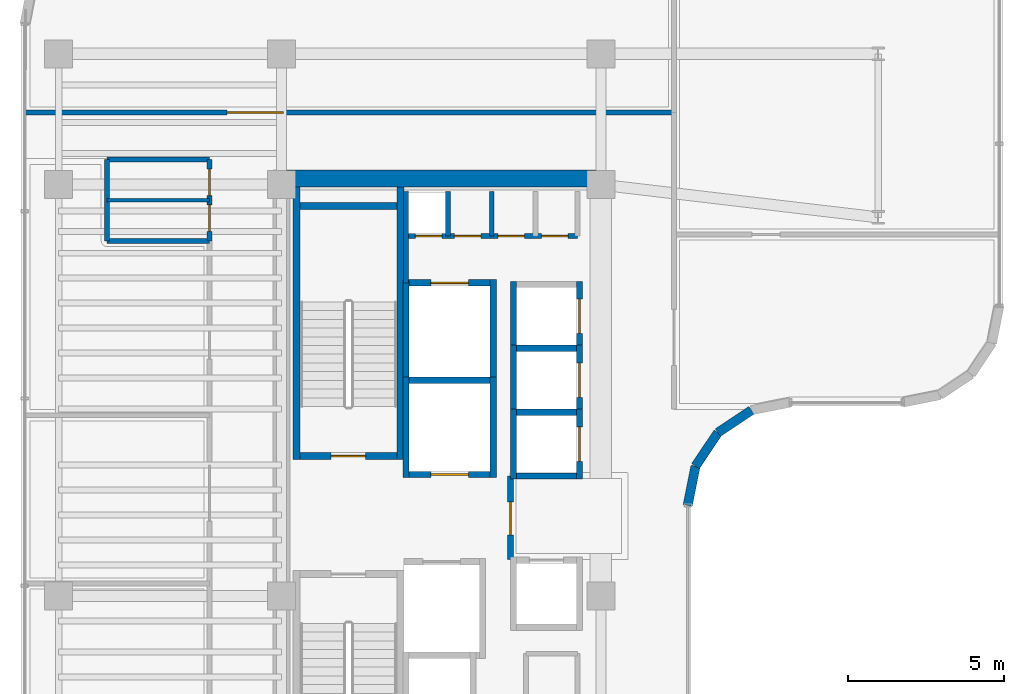
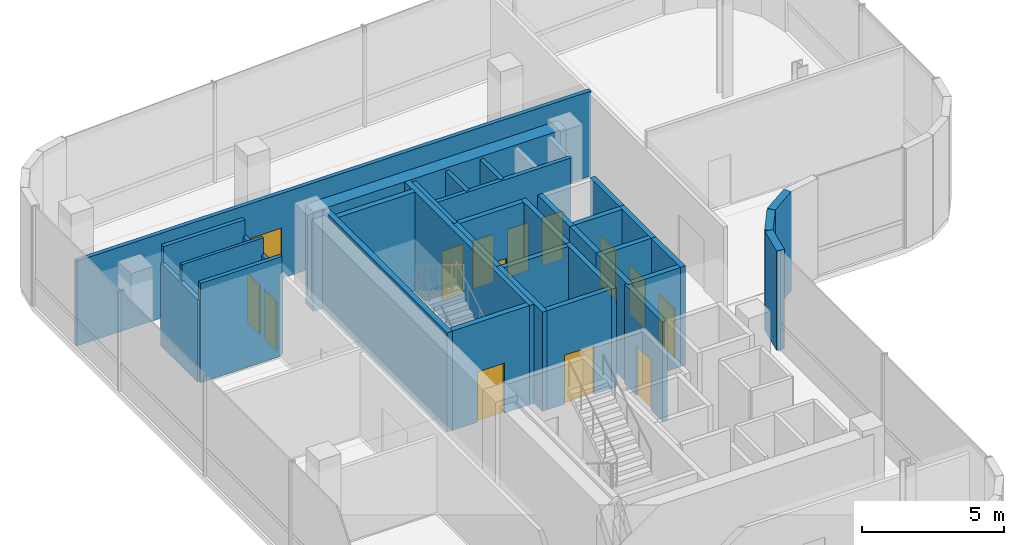
# One storey, part 14 of 17: 35 walls, 14 doors, 14 openings.
"""IFC4 building model written with IfcOpenShell, lengths in metres."""

import ifcopenshell
import ifcopenshell.guid

model = None  # the IFC model being written
_history = None  # IfcOwnerHistory: only IFC2X3 demands one
_inside = {}  # id of a spatial element -> (the spatial element, [elements in it])
_under = {}  # id of a project, library or spatial element -> (it, [spatial elements below it])
_declared = {}  # id of a project -> (the project, [libraries it declares])
_typed = {}  # id of a type object -> (the type object, [elements of that type])
_made_of = {}  # id of a material, layer set ... -> (it, [elements and type objects made of it])


def new_model(schema):
    """Start an empty IFC model of exactly this schema.

    Asked for "IFC4X3", IfcOpenShell would pick the latest addendum, in which some entities
    have other attributes; the version numbers below select the first issue.
    IFC2X3 requires an IfcOwnerHistory on every rooted entity: one is made here for all.
    """
    global model, _history
    if schema == "IFC4X3":
        model = ifcopenshell.file(schema_version=(4, 3, 0, 0))
    else:
        model = ifcopenshell.file(schema=schema)
    _inside.clear()
    _under.clear()
    _declared.clear()
    _typed.clear()
    _made_of.clear()
    _history = None
    if model.schema == "IFC2X3":
        org = make("IfcOrganization", Name="unknown")
        user = make(
            "IfcPersonAndOrganization",
            ThePerson=make("IfcPerson", FamilyName="unknown"),
            TheOrganization=org,
        )
        app = make(
            "IfcApplication",
            ApplicationDeveloper=org,
            Version="unknown",
            ApplicationFullName="unknown",
            ApplicationIdentifier="unknown",
        )
        _history = make(
            "IfcOwnerHistory",
            OwningUser=user,
            OwningApplication=app,
            ChangeAction="ADDED",
            CreationDate=0,
        )
    return model


def make(cls, **values):
    """One entity of the class cls with the attributes given. An attribute that is None is left unset."""
    return model.create_entity(
        cls, **{name: value for name, value in values.items() if value is not None}
    )


def rooted(cls, **values):
    """An entity with a GlobalId (a new one), such as an element, a storey or a relation."""
    return make(cls, GlobalId=ifcopenshell.guid.new(), OwnerHistory=_history, **values)


def si_unit(unit_type, name, prefix=None):
    """IfcSIUnit, for example si_unit("LENGTHUNIT", "METRE", prefix="MILLI")."""
    return make("IfcSIUnit", UnitType=unit_type, Prefix=prefix, Name=name)


def assignment(units):
    """IfcUnitAssignment: the units of a project."""
    return None if units is None else make("IfcUnitAssignment", Units=units)


def point(xyz):
    """IfcCartesianPoint."""
    return None if xyz is None else make("IfcCartesianPoint", Coordinates=xyz)


def direction(xyz):
    """IfcDirection."""
    return None if xyz is None else make("IfcDirection", DirectionRatios=xyz)


def frame(location, z_axis=None, x_axis=None):
    """IfcAxis2Placement3D, a coordinate frame: its origin and axes. An axis left out is left unset."""
    return make(
        "IfcAxis2Placement3D",
        Location=point(location),
        Axis=direction(z_axis),
        RefDirection=direction(x_axis),
    )


def frame_2d(location, x_axis=None):
    """IfcAxis2Placement2D, a coordinate frame in the plane: its origin and x axis."""
    return make(
        "IfcAxis2Placement2D", Location=point(location), RefDirection=direction(x_axis)
    )


def origin():
    """The frame at (0, 0, 0) with its axes left unset."""
    return frame((0.0, 0.0, 0.0))


def place(relative_to, where):
    """IfcLocalPlacement: puts the frame where relative to a parent placement (None: the world)."""
    return make(
        "IfcLocalPlacement", PlacementRelTo=relative_to, RelativePlacement=where
    )


def context(
    kind, dimensions, precision=None, world=None, true_north=None, identifier=None
):
    """IfcGeometricRepresentationContext, for example the 3D "Model" context."""
    return make(
        "IfcGeometricRepresentationContext",
        ContextIdentifier=identifier,
        ContextType=kind,
        CoordinateSpaceDimension=dimensions,
        Precision=precision,
        WorldCoordinateSystem=world,
        TrueNorth=true_north,
    )


def subcontext(parent, identifier, kind, view, scale=None):
    """IfcGeometricRepresentationSubContext, for example "Body" below "Model"."""
    return make(
        "IfcGeometricRepresentationSubContext",
        ContextIdentifier=identifier,
        ContextType=kind,
        ParentContext=parent,
        TargetScale=scale,
        TargetView=view,
    )


def project(units=None, contexts=None):
    """IfcProject with its units and contexts."""
    return rooted(
        "IfcProject",
        Name="project",
        RepresentationContexts=contexts,
        UnitsInContext=assignment(units),
    )


def spatial(cls, under=None, at=None, **own):
    """A site, building, storey or space (cls), placed at a placement, below another one or the project."""
    s = rooted(cls, ObjectPlacement=at, **own)
    if under is not None:
        _under.setdefault(under.id(), (under, []))[1].append(s)
    return s


def profile(cls, at=None, kind="AREA", **sizes):
    """A parametric profile (cls). Its sizes go by their IFC names, for example OverallWidth=200.0."""
    return make(cls, ProfileType=kind, Position=at, **sizes)


def rectangle(**sizes):
    """IfcRectangleProfileDef."""
    return profile("IfcRectangleProfileDef", **sizes)


def extrude(swept, where, along, depth):
    """IfcExtrudedAreaSolid: the profile swept, set in the frame where, extruded along a direction by depth."""
    return make(
        "IfcExtrudedAreaSolid",
        SweptArea=swept,
        Position=where,
        ExtrudedDirection=direction(along),
        Depth=depth,
    )


def shape(context_of_items, identifier, shape_type, items):
    """IfcShapeRepresentation: the items that make up one representation, for example the "Body"."""
    return make(
        "IfcShapeRepresentation",
        ContextOfItems=context_of_items,
        RepresentationIdentifier=identifier,
        RepresentationType=shape_type,
        Items=items,
    )


def material(Name=None, Category=None):
    """IfcMaterial."""
    return make("IfcMaterial", Name=Name, Category=Category)


def layer(
    of_material, thickness, ventilated=None, Name=None, Category=None, Priority=None
):
    """IfcMaterialLayer: one layer of a wall or slab, of a material (None: an air gap)."""
    return make(
        "IfcMaterialLayer",
        Material=of_material,
        LayerThickness=thickness,
        IsVentilated=ventilated,
        Name=Name,
        Category=Category,
        Priority=Priority,
    )


def layer_set(layers, Name=None):
    """IfcMaterialLayerSet."""
    return make("IfcMaterialLayerSet", MaterialLayers=layers, LayerSetName=Name)


def made_of(thing, what):
    """Note that an element or type object is made of a material, layer set ...; save() writes the relation."""
    if what is not None:
        _made_of.setdefault(what.id(), (what, []))[1].append(thing)
    return thing


def type_object(cls, material=None, **own):
    """A type object (cls), such as IfcWallType, which elements share."""
    return made_of(rooted(cls, **own), material)


def element(
    cls,
    number,
    at=None,
    inside=None,
    cuts=None,
    type_object=None,
    material=None,
    context=None,
    identifier="Body",
    shape_type=None,
    held_by="IfcProductDefinitionShape",
    body=None,
    shapes=None,
    **own,
):
    """One element of the class cls, such as IfcWall. Its Tag is "e" and its number.

    at: its placement. inside: the storey or other place that contains it. cuts: it is an
    opening in that element (IfcRelVoidsElement). A single representation is given by context,
    identifier, shape_type and body (its items); several are given by shapes. held_by: the class
    of the entity that holds the representations. save() writes the other relations.
    """
    e = rooted(cls, Tag="e%d" % number, ObjectPlacement=at, **own)
    if body is not None:
        shapes = [shape(context, identifier, shape_type, body)]
    if shapes is not None:
        e.Representation = make(held_by, Representations=shapes)
    if inside is not None:
        _inside.setdefault(inside.id(), (inside, []))[1].append(e)
    if cuts is not None:
        rooted(
            "IfcRelVoidsElement", RelatingBuildingElement=cuts, RelatedOpeningElement=e
        )
    if type_object is not None:
        _typed.setdefault(type_object.id(), (type_object, []))[1].append(e)
    return made_of(e, material)


def fill(opening, filler):
    """IfcRelFillsElement: the door or window that sits in an opening."""
    return rooted(
        "IfcRelFillsElement",
        RelatingOpeningElement=opening,
        RelatedBuildingElement=filler,
    )


def aggregate(whole, parts):
    """IfcRelAggregates: a whole, such as a stair, and the parts it consists of."""
    return rooted("IfcRelAggregates", RelatingObject=whole, RelatedObjects=parts)


def save(model, path):
    """Write the relations noted so far, then the file.

    IfcRelAggregates (storeys below a building ...), IfcRelContainedInSpatialStructure (elements
    in a storey), IfcRelDefinesByType, IfcRelAssociatesMaterial and IfcRelDeclares: one each for
    every whole, place, type object, material and project.
    """
    for whole, parts in _under.values():
        aggregate(whole, parts)
    for where, things in _inside.values():
        rooted(
            "IfcRelContainedInSpatialStructure",
            RelatedElements=things,
            RelatingStructure=where,
        )
    for kind, things in _typed.values():
        rooted("IfcRelDefinesByType", RelatedObjects=things, RelatingType=kind)
    for what, things in _made_of.values():
        rooted("IfcRelAssociatesMaterial", RelatedObjects=things, RelatingMaterial=what)
    for by, libraries in _declared.values():
        rooted("IfcRelDeclares", RelatingContext=by, RelatedDefinitions=libraries)
    model.write(path)


model = new_model("IFC4")

# Units and contexts
model_context = context("Model", 3, precision=1e-05, world=origin(), true_north=direction((0.0, 1.0)))
body_context = subcontext(model_context, "Body", "Model", "MODEL_VIEW")
ifc_project = project(units=[si_unit("LENGTHUNIT", "METRE"), si_unit("AREAUNIT", "SQUARE_METRE"), si_unit("VOLUMEUNIT", "CUBIC_METRE"), si_unit("PLANEANGLEUNIT", "RADIAN"), si_unit("MASSUNIT", "GRAM", prefix="KILO")], contexts=[model_context])

# Site, building, storey
site_placement = place(None, origin())
site = spatial("IfcSite", under=ifc_project, at=site_placement, CompositionType="ELEMENT")
building_placement = place(site_placement, origin())
building = spatial("IfcBuilding", under=site, at=building_placement, Name="Valdorenza Pilgrim Sanctuary Tower", CompositionType="ELEMENT")
storey_placement = place(building_placement, frame((0.0, 0.0, 201.0)))
storey = spatial("IfcBuildingStorey", under=building, at=storey_placement, Name="L51", CompositionType="ELEMENT", Elevation=201.0)

# Wall
ifc_material_1 = material(Name="Acoustic twin-stud gypsum partition", Category="gypsum")
ifc_layer_1 = layer(ifc_material_1, 0.159912109375, Name="Acoustic twin-stud gypsum partition")
ifc_layer_set_1 = layer_set([ifc_layer_1], Name="Acoustic twin-stud gypsum partition")
wall_type_1 = type_object("IfcWallType", Name="WAL-COR-160", PredefinedType="PARTITIONING", material=ifc_layer_set_1)
wall_1_placement = place(storey_placement, frame((-18.64990234375, 7.449951171875, 0.0), z_axis=(0.0, 0.0, 1.0), x_axis=(0.0, 1.0, 0.0)))
element("IfcWall", 1, at=wall_1_placement, inside=storey, type_object=wall_type_1, Name="L51 Core A North Service West Wall", PredefinedType="PARTITIONING", context=body_context, shape_type="SweptSolid", body=[
    extrude(rectangle(XDim=2.929931640625, YDim=0.159912109375, at=frame_2d((1.46484375, 0.0))), origin(), (0.0, 0.0, 1.0), 4.260009765625),
])

# Wall, openings, doors
wall_2_placement = place(storey_placement, frame((-18.64990234375, 8.949951171875, 0.0), z_axis=(0.0, 0.0, 1.0), x_axis=(1.0, 0.0, 0.0)))
wall_2 = element("IfcWall", 2, at=wall_2_placement, inside=storey, type_object=wall_type_1, Name="L51 Core A North Service South Wall", PredefinedType="PARTITIONING", context=body_context, shape_type="SweptSolid", body=[
    extrude(rectangle(XDim=5.5, YDim=0.159912109375, at=frame_2d((2.75, 0.0))), origin(), (0.0, 0.0, 1.0), 4.260009765625),
])
opening_1_placement = place(wall_2_placement, frame((0.300048828125, 0.0, 0.0)))
opening_1 = element("IfcOpeningElement", 3, at=opening_1_placement, cuts=wall_2, Name="Opening DR-RS1", PredefinedType="OPENING", context=body_context, shape_type="SweptSolid", body=[
    extrude(rectangle(XDim=0.85009765625, YDim=2.050048828125, at=frame_2d((0.425048828125, 1.02490234375))), frame((0.0, 0.0947265625, 0.0), z_axis=(0.0, -1.0, 0.0), x_axis=(1.0, 0.0, 0.0)), (0.0, 0.0, 1.0), 0.189697265625),
])
opening_2_placement = place(wall_2_placement, frame((1.550048828125, 0.0, 0.0)))
opening_2 = element("IfcOpeningElement", 4, at=opening_2_placement, cuts=wall_2, Name="Opening DR-RS1", PredefinedType="OPENING", context=body_context, shape_type="SweptSolid", body=[
    extrude(rectangle(XDim=0.85009765625, YDim=2.050048828125, at=frame_2d((0.425048828125, 1.02490234375))), frame((0.0, 0.0947265625, 0.0), z_axis=(0.0, -1.0, 0.0), x_axis=(1.0, 0.0, 0.0)), (0.0, 0.0, 1.0), 0.189697265625),
])
opening_3_placement = place(wall_2_placement, frame((2.949951171875, 0.0, 0.0)))
opening_3 = element("IfcOpeningElement", 5, at=opening_3_placement, cuts=wall_2, Name="Opening DR-RS1", PredefinedType="OPENING", context=body_context, shape_type="SweptSolid", body=[
    extrude(rectangle(XDim=0.85009765625, YDim=2.050048828125, at=frame_2d((0.425048828125, 1.02490234375))), frame((0.0, 0.0947265625, 0.0), z_axis=(0.0, -1.0, 0.0), x_axis=(1.0, 0.0, 0.0)), (0.0, 0.0, 1.0), 0.189697265625),
])
opening_4_placement = place(wall_2_placement, frame((4.35009765625, 0.0, 0.0)))
opening_4 = element("IfcOpeningElement", 6, at=opening_4_placement, cuts=wall_2, Name="Opening DR-RS1", PredefinedType="OPENING", context=body_context, shape_type="SweptSolid", body=[
    extrude(rectangle(XDim=0.85009765625, YDim=2.050048828125, at=frame_2d((0.425048828125, 1.02490234375))), frame((0.0, 0.0947265625, 0.0), z_axis=(0.0, -1.0, 0.0), x_axis=(1.0, 0.0, 0.0)), (0.0, 0.0, 1.0), 0.189697265625),
])
ifc_material_2 = material(Name="Painted galvanized steel", Category="steel")
door_type_1 = type_object("IfcDoorType", Name="DR-RSR-850", OperationType="NOTDEFINED", PredefinedType="DOOR", material=ifc_material_2)
door_1_placement = place(opening_1_placement, origin())
door_1 = element("IfcDoor", 7, at=door_1_placement, inside=storey, type_object=door_type_1, Name="L51 Core Electrical and Telecom Riser Door", OperationType="SINGLE_SWING_LEFT", OverallHeight=2.050048828125, OverallWidth=0.85009765625, PredefinedType="DOOR", context=body_context, shape_type="SweptSolid", body=[
    extrude(rectangle(XDim=0.85009765625, YDim=2.050048828125, at=frame_2d((0.425048828125, 1.02490234375))), frame((0.0, 0.02490234375, 0.0), z_axis=(0.0, -1.0, 0.0), x_axis=(1.0, 0.0, 0.0)), (0.0, 0.0, 1.0), 0.050048828125),
])
fill(opening_1, door_1)
door_2_placement = place(opening_2_placement, origin())
door_2 = element("IfcDoor", 8, at=door_2_placement, inside=storey, type_object=door_type_1, Name="L51 Core Janitor and Maintenance Store Door", OperationType="SINGLE_SWING_RIGHT", OverallHeight=2.050048828125, OverallWidth=0.85009765625, PredefinedType="DOOR", context=body_context, shape_type="SweptSolid", body=[
    extrude(rectangle(XDim=0.85009765625, YDim=2.050048828125, at=frame_2d((0.425048828125, 1.02490234375))), frame((0.0, 0.02490234375, 0.0), z_axis=(0.0, -1.0, 0.0), x_axis=(1.0, 0.0, 0.0)), (0.0, 0.0, 1.0), 0.050048828125),
])
fill(opening_2, door_2)
door_3_placement = place(opening_3_placement, origin())
door_3 = element("IfcDoor", 9, at=door_3_placement, inside=storey, type_object=door_type_1, Name="L51 Core IT Server Closet Door", OperationType="SINGLE_SWING_LEFT", OverallHeight=2.050048828125, OverallWidth=0.85009765625, PredefinedType="DOOR", context=body_context, shape_type="SweptSolid", body=[
    extrude(rectangle(XDim=0.85009765625, YDim=2.050048828125, at=frame_2d((0.425048828125, 1.02490234375))), frame((0.0, 0.02490234375, 0.0), z_axis=(0.0, -1.0, 0.0), x_axis=(1.0, 0.0, 0.0)), (0.0, 0.0, 1.0), 0.050048828125),
])
fill(opening_3, door_3)
door_4_placement = place(opening_4_placement, origin())
door_4 = element("IfcDoor", 10, at=door_4_placement, inside=storey, type_object=door_type_1, Name="L51 Core Staff Washroom Door", OperationType="SINGLE_SWING_RIGHT", OverallHeight=2.050048828125, OverallWidth=0.85009765625, PredefinedType="DOOR", context=body_context, shape_type="SweptSolid", body=[
    extrude(rectangle(XDim=0.85009765625, YDim=2.050048828125, at=frame_2d((0.425048828125, 1.02490234375))), frame((0.0, 0.02490234375, 0.0), z_axis=(0.0, -1.0, 0.0), x_axis=(1.0, 0.0, 0.0)), (0.0, 0.0, 1.0), 0.050048828125),
])
fill(opening_4, door_4)

# Walls
for number, where, z_axis, x_axis, name in (
    (11, (-17.300048828125, 8.949951171875, 0.0), (0.0, 0.0, 1.0), (0.0, 1.0, 0.0), "L51 Core Electrical Riser Wall"),
    (12, (-15.89990234375, 8.949951171875, 0.0), (0.0, 0.0, 1.0), (0.0, 1.0, 0.0), "L51 Core A Split D1"),
):
    element("IfcWall", number, at=place(storey_placement, frame(where, z_axis=z_axis, x_axis=x_axis)), inside=storey, type_object=wall_type_1, Name=name, PredefinedType="PARTITIONING", context=body_context, shape_type="SweptSolid", body=[
        extrude(rectangle(XDim=1.429931640625, YDim=0.159912109375, at=frame_2d((0.71484375, 0.0))), origin(), (0.0, 0.0, 1.0), 4.260009765625),
    ])
wall_3_placement = place(storey_placement, frame((-28.25, 8.800048828125, 0.0), z_axis=(0.0, 0.0, 1.0), x_axis=(0.0, 1.0, 0.0)))
element("IfcWall", 13, at=wall_3_placement, inside=storey, type_object=wall_type_1, Name="L51 Washroom West Wall", PredefinedType="PARTITIONING", context=body_context, shape_type="SweptSolid", body=[
    extrude(rectangle(XDim=2.599853515625, YDim=0.159912109375, at=frame_2d((1.2998046875, 0.0))), origin(), (0.0, 0.0, 1.0), 3.5439453125),
])

# Wall, openings, doors
wall_4_placement = place(storey_placement, frame((-24.949951171875, 8.800048828125, 0.0), z_axis=(0.0, 0.0, 1.0), x_axis=(0.0, 1.0, 0.0)))
wall_4 = element("IfcWall", 14, at=wall_4_placement, inside=storey, type_object=wall_type_1, Name="L51 Washroom East Wall", PredefinedType="PARTITIONING", context=body_context, shape_type="SweptSolid", body=[
    extrude(rectangle(XDim=2.599853515625, YDim=0.159912109375, at=frame_2d((1.2998046875, 0.0))), origin(), (0.0, 0.0, 1.0), 3.5439453125),
])
opening_5_placement = place(wall_4_placement, frame((0.300048828125, 0.0, 0.0)))
opening_5 = element("IfcOpeningElement", 15, at=opening_5_placement, cuts=wall_4, Name="Opening DR-WC1", PredefinedType="OPENING", context=body_context, shape_type="SweptSolid", body=[
    extrude(rectangle(XDim=0.85009765625, YDim=2.10009765625, at=frame_2d((0.425048828125, 1.050048828125))), frame((0.0, 0.0947265625, 0.0), z_axis=(0.0, -1.0, 0.0), x_axis=(1.0, 0.0, 0.0)), (0.0, 0.0, 1.0), 0.189697265625),
])
opening_6_placement = place(wall_4_placement, frame((1.449951171875, 0.0, 0.0)))
opening_6 = element("IfcOpeningElement", 16, at=opening_6_placement, cuts=wall_4, Name="Opening DR-WC1", PredefinedType="OPENING", context=body_context, shape_type="SweptSolid", body=[
    extrude(rectangle(XDim=0.85009765625, YDim=2.10009765625, at=frame_2d((0.425048828125, 1.050048828125))), frame((0.0, 0.0947265625, 0.0), z_axis=(0.0, -1.0, 0.0), x_axis=(1.0, 0.0, 0.0)), (0.0, 0.0, 1.0), 0.189697265625),
])
ifc_material_3 = material(Name="Moisture-resistant lacquered timber", Category="wood")
door_type_2 = type_object("IfcDoorType", Name="DR-BATH-850", OperationType="NOTDEFINED", PredefinedType="DOOR", material=ifc_material_3)
door_5_placement = place(opening_5_placement, origin())
door_5 = element("IfcDoor", 17, at=door_5_placement, inside=storey, type_object=door_type_2, Name="L51 Accessible Washroom Door", OperationType="SINGLE_SWING_RIGHT", OverallHeight=2.10009765625, OverallWidth=0.85009765625, PredefinedType="DOOR", context=body_context, shape_type="SweptSolid", body=[
    extrude(rectangle(XDim=0.85009765625, YDim=2.10009765625, at=frame_2d((0.425048828125, 1.050048828125))), frame((0.0, 0.02490234375, 0.0), z_axis=(0.0, -1.0, 0.0), x_axis=(1.0, 0.0, 0.0)), (0.0, 0.0, 1.0), 0.050048828125),
])
fill(opening_5, door_5)
door_6_placement = place(opening_6_placement, origin())
door_6 = element("IfcDoor", 18, at=door_6_placement, inside=storey, type_object=door_type_2, Name="L51 Public Washroom Door", OperationType="SINGLE_SWING_LEFT", OverallHeight=2.10009765625, OverallWidth=0.85009765625, PredefinedType="DOOR", context=body_context, shape_type="SweptSolid", body=[
    extrude(rectangle(XDim=0.85009765625, YDim=2.10009765625, at=frame_2d((0.425048828125, 1.050048828125))), frame((0.0, 0.02490234375, 0.0), z_axis=(0.0, -1.0, 0.0), x_axis=(1.0, 0.0, 0.0)), (0.0, 0.0, 1.0), 0.050048828125),
])
fill(opening_6, door_6)

# Walls
for number, where, z_axis, x_axis, name in (
    (19, (-28.25, 8.800048828125, 0.0), (0.0, 0.0, 1.0), (1.0, 0.0, 0.0), "L51 Washroom South Wall"),
    (20, (-28.25, 11.39990234375, 0.0), (0.0, 0.0, 1.0), (1.0, 0.0, 0.0), "L51 Washroom North Wall"),
):
    element("IfcWall", number, at=place(storey_placement, frame(where, z_axis=z_axis, x_axis=x_axis)), inside=storey, type_object=wall_type_1, Name=name, PredefinedType="PARTITIONING", context=body_context, shape_type="SweptSolid", body=[
        extrude(rectangle(XDim=3.300048828125, YDim=0.159912109375, at=frame_2d((1.64990234375, 0.0))), origin(), (0.0, 0.0, 1.0), 4.260009765625),
    ])

# Wall, opening, door
wall_5_placement = place(storey_placement, frame((-30.889892578125, 12.919921875, 0.0), z_axis=(0.0, 0.0, 1.0), x_axis=(1.0, 0.0, 0.0)))
wall_5 = element("IfcWall", 21, at=wall_5_placement, inside=storey, type_object=wall_type_1, Name="L51 Sky North Salon Wall", PredefinedType="PARTITIONING", context=body_context, shape_type="SweptSolid", body=[
    extrude(rectangle(XDim=20.83984375, YDim=0.159912109375, at=frame_2d((10.419921875, 0.0))), origin(), (0.0, 0.0, 1.0), 3.634033203125),
])
opening_7_placement = place(wall_5_placement, frame((6.5, 0.0, 0.0)))
opening_7 = element("IfcOpeningElement", 22, at=opening_7_placement, cuts=wall_5, Name="Opening DR-HL1", PredefinedType="OPENING", context=body_context, shape_type="SweptSolid", body=[
    extrude(rectangle(XDim=1.800048828125, YDim=2.14990234375, at=frame_2d((0.89990234375, 1.074951171875))), frame((0.0, 0.0947265625, 0.0), z_axis=(0.0, -1.0, 0.0), x_axis=(1.0, 0.0, 0.0)), (0.0, 0.0, 1.0), 0.189697265625),
])
ifc_material_4 = material(Name="Acoustic oak and vision-glass double door", Category="glass")
door_type_3 = type_object("IfcDoorType", Name="DR-HALL-1800", OperationType="NOTDEFINED", PredefinedType="DOOR", material=ifc_material_4)
door_7_placement = place(opening_7_placement, frame((1.800048828125, 0.0, 0.0), z_axis=(0.0, 0.0, 1.0), x_axis=(-1.0, 0.0, 0.0)))
door_7 = element("IfcDoor", 23, at=door_7_placement, inside=storey, type_object=door_type_3, Name="L51 Theological Reference Library Door", OperationType="DOUBLE_DOOR_SINGLE_SWING", OverallHeight=2.14990234375, OverallWidth=1.800048828125, PredefinedType="DOOR", context=body_context, shape_type="SweptSolid", body=[
    extrude(rectangle(XDim=1.800048828125, YDim=2.14990234375, at=frame_2d((0.89990234375, 1.074951171875))), frame((0.0, 0.02490234375, 0.0), z_axis=(0.0, -1.0, 0.0), x_axis=(1.0, 0.0, 0.0)), (0.0, 0.0, 1.0), 0.050048828125),
])
fill(opening_7, door_7)

# Walls
ifc_material_5 = material(Name="Concrete C50/60", Category="concrete")
ifc_layer_2 = layer(ifc_material_5, 0.550048828125, Name="Concrete C50/60")
ifc_layer_set_2 = layer_set([ifc_layer_2], Name="Concrete C50/60")
wall_type_2 = type_object("IfcWallType", Name="WAL-COR-550", PredefinedType="SHEAR", material=ifc_layer_set_2)
wall_6_placement = place(storey_placement, frame((-22.64990234375, 10.800048828125, 0.0), z_axis=(0.0, 0.0, 1.0), x_axis=(1.0, 0.0, 0.0)))
element("IfcWall", 24, at=wall_6_placement, inside=storey, type_object=wall_type_2, Name="L51 Split Core A Shear Wall N", PredefinedType="SHEAR", context=body_context, shape_type="SweptSolid", body=[
    extrude(rectangle(XDim=10.25, YDim=0.550048828125, at=frame_2d((5.125, 0.0))), origin(), (0.0, 0.0, 1.0), 4.260009765625),
])
ifc_material_6 = material(Name="Honed travertine limestone", Category="masonry")
ifc_layer_3 = layer(ifc_material_6, 0.300048828125, Name="Honed travertine limestone")
ifc_layer_set_3 = layer_set([ifc_layer_3], Name="Honed travertine limestone")
wall_type_3 = type_object("IfcWallType", Name="WAL-EXT-300", PredefinedType="SOLIDWALL", material=ifc_layer_set_3)
for number, where, z_axis, x_axis, name in (
    (25, (-7.5673828125, 3.360107421875, 0.0), (0.0, 0.0, 1.0), (-0.831497739511, -0.555528135371, 0.0), "L51 Rounded Wind-Corner Stone Pier 18"),
    (26, (-8.64208984375, 2.64208984375, 0.0), (0.0, 0.0, 1.0), (-0.555528135371, -0.831497739511, 0.0), "L51 Rounded Wind-Corner Stone Pier 19"),
):
    element("IfcWall", number, at=place(storey_placement, frame(where, z_axis=z_axis, x_axis=x_axis)), inside=storey, type_object=wall_type_3, Name=name, PredefinedType="SOLIDWALL", context=body_context, shape_type="SweptSolid", body=[
        extrude(rectangle(XDim=1.29248046875, YDim=0.300048828125, at=frame_2d((0.646240234375, 0.0))), origin(), (0.0, 0.0, 1.0), 4.260009765625),
    ])
wall_7_placement = place(storey_placement, frame((-9.360107421875, 1.5673828125, 0.0), z_axis=(0.0, 0.0, 1.0), x_axis=(-0.195126623715, -0.980778058848, 0.0)))
element("IfcWall", 27, at=wall_7_placement, inside=storey, type_object=wall_type_3, Name="L51 Rounded Wind-Corner Stone Pier 20", PredefinedType="SOLIDWALL", context=body_context, shape_type="SweptSolid", body=[
    extrude(rectangle(XDim=1.28125, YDim=0.300048828125, at=frame_2d((0.640625, 0.0))), origin(), (0.0, 0.0, 1.0), 4.260009765625),
])

# Wall, opening, door
ifc_material_7 = material(Name="Gypsum shaftwall partition", Category="gypsum")
ifc_layer_4 = layer(ifc_material_7, 0.199951171875, Name="Gypsum shaftwall partition")
ifc_layer_set_4 = layer_set([ifc_layer_4], Name="Gypsum shaftwall partition")
wall_type_4 = type_object("IfcWallType", Name="WAL-FFL-200", PredefinedType="PARTITIONING", material=ifc_layer_set_4)
wall_8_placement = place(storey_placement, frame((-15.300048828125, -1.419921875, 0.0), z_axis=(0.0, 0.0, 1.0), x_axis=(0.0, 1.0, 0.0)))
wall_8 = element("IfcWall", 28, at=wall_8_placement, inside=storey, type_object=wall_type_4, Name="L51 Core A Firefighting Lobby East Wall", PredefinedType="PARTITIONING", context=body_context, shape_type="SweptSolid", body=[
    extrude(rectangle(XDim=2.669921875, YDim=0.199951171875, at=frame_2d((1.3349609375, 0.0))), origin(), (0.0, 0.0, 1.0), 4.260009765625),
])
opening_8_placement = place(wall_8_placement, frame((0.780029296875, 0.0, 0.0)))
opening_8 = element("IfcOpeningElement", 29, at=opening_8_placement, cuts=wall_8, Name="Opening DR-FL1", PredefinedType="OPENING", context=body_context, shape_type="SweptSolid", body=[
    extrude(rectangle(XDim=1.050048828125, YDim=2.14990234375, at=frame_2d((0.52490234375, 1.074951171875))), frame((0.0, 0.11474609375, 0.0), z_axis=(0.0, -1.0, 0.0), x_axis=(1.0, 0.0, 0.0)), (0.0, 0.0, 1.0), 0.229736328125),
])
door_type_4 = type_object("IfcDoorType", Name="DR-FFL-1050", OperationType="NOTDEFINED", PredefinedType="DOOR", material=ifc_material_2)
door_8_placement = place(opening_8_placement, origin())
door_8 = element("IfcDoor", 30, at=door_8_placement, inside=storey, type_object=door_type_4, Name="L51 Core A Firefighting Lobby Door", OperationType="SINGLE_SWING_RIGHT", OverallHeight=2.14990234375, OverallWidth=1.050048828125, PredefinedType="DOOR", context=body_context, shape_type="SweptSolid", body=[
    extrude(rectangle(XDim=1.050048828125, YDim=2.14990234375, at=frame_2d((0.52490234375, 1.074951171875))), frame((0.0, 0.02490234375, 0.0), z_axis=(0.0, -1.0, 0.0), x_axis=(1.0, 0.0, 0.0)), (0.0, 0.0, 1.0), 0.050048828125),
])
fill(opening_8, door_8)

# Walls
ifc_material_8 = material(Name="Moisture-resistant gypsum partition", Category="gypsum")
ifc_layer_5 = layer(ifc_material_8, 0.1201171875, Name="Moisture-resistant gypsum partition")
ifc_layer_set_5 = layer_set([ifc_layer_5], Name="Moisture-resistant gypsum partition")
wall_type_5 = type_object("IfcWallType", Name="WAL-INT-120", PredefinedType="PARTITIONING", material=ifc_layer_set_5)
wall_9_placement = place(storey_placement, frame((-28.25, 10.10009765625, 0.0), z_axis=(0.0, 0.0, 1.0), x_axis=(1.0, 0.0, 0.0)))
element("IfcWall", 31, at=wall_9_placement, inside=storey, type_object=wall_type_5, Name="L51 Washroom Divider Wall", PredefinedType="PARTITIONING", context=body_context, shape_type="SweptSolid", body=[
    extrude(rectangle(XDim=3.300048828125, YDim=0.1201171875, at=frame_2d((1.64990234375, 0.0))), origin(), (0.0, 0.0, 1.0), 4.260009765625),
])
ifc_material_9 = material(Name="Autoclaved aerated concrete blockwork", Category="masonry")
ifc_layer_6 = layer(ifc_material_9, 0.199951171875, Name="Autoclaved aerated concrete blockwork")
ifc_layer_set_6 = layer_set([ifc_layer_6], Name="Autoclaved aerated concrete blockwork")
wall_type_6 = type_object("IfcWallType", Name="WAL-SHF-200", PredefinedType="MOVABLE", material=ifc_layer_set_6)
for number, where, z_axis, x_axis, name in (
    (32, (-18.64990234375, 1.199951171875, 0.0), (0.0, 0.0, 1.0), (0.0, 1.0, 0.0), "L51 Lift FFL-01 Hoistway Wall West"),
    (33, (-15.85009765625, 1.199951171875, 0.0), (0.0, 0.0, 1.0), (0.0, 1.0, 0.0), "L51 Lift FFL-01 Hoistway Wall East"),
):
    element("IfcWall", number, at=place(storey_placement, frame(where, z_axis=z_axis, x_axis=x_axis)), inside=storey, type_object=wall_type_6, Name=name, PredefinedType="MOVABLE", context=body_context, shape_type="SweptSolid", body=[
        extrude(rectangle(XDim=3.22509765625, YDim=0.199951171875, at=frame_2d((1.612548828125, 0.0))), origin(), (0.0, 0.0, 1.0), 4.260009765625),
    ])

# Wall, opening, door
wall_10_placement = place(storey_placement, frame((-18.550048828125, 1.300048828125, 0.0), z_axis=(0.0, 0.0, 1.0), x_axis=(1.0, 0.0, 0.0)))
wall_10 = element("IfcWall", 34, at=wall_10_placement, inside=storey, type_object=wall_type_6, Name="L51 Lift FFL-01 Hoistway Wall South", PredefinedType="MOVABLE", context=body_context, shape_type="SweptSolid", body=[
    extrude(rectangle(XDim=2.60009765625, YDim=0.199951171875, at=frame_2d((1.300048828125, 0.0))), origin(), (0.0, 0.0, 1.0), 4.260009765625),
])
opening_9_placement = place(wall_10_placement, frame((0.699951171875, 0.0, 0.0)))
opening_9 = element("IfcOpeningElement", 35, at=opening_9_placement, cuts=wall_10, Name="Opening LD-02", PredefinedType="OPENING", context=body_context, shape_type="SweptSolid", body=[
    extrude(rectangle(XDim=1.199951171875, YDim=2.10009765625, at=frame_2d((0.60009765625, 1.050048828125))), frame((0.0, 0.11474609375, 0.0), z_axis=(0.0, -1.0, 0.0), x_axis=(1.0, 0.0, 0.0)), (0.0, 0.0, 1.0), 0.229736328125),
])
ifc_material_10 = material(Name="Brushed stainless steel Grade 316", Category="steel")
door_type_5 = type_object("IfcDoorType", Name="DR-LFT-1200", OperationType="DOUBLE_DOOR_SLIDING", PredefinedType="DOOR", material=ifc_material_10)
door_9_placement = place(opening_9_placement, origin())
door_9 = element("IfcDoor", 36, at=door_9_placement, inside=storey, type_object=door_type_5, Name="L51 Lift FFL-01 Sliding Landing Door", OperationType="DOUBLE_DOOR_SLIDING", OverallHeight=2.10009765625, OverallWidth=1.199951171875, PredefinedType="DOOR", context=body_context, shape_type="SweptSolid", body=[
    extrude(rectangle(XDim=1.199951171875, YDim=2.10009765625, at=frame_2d((0.60009765625, 1.050048828125))), frame((0.0, 0.02490234375, 0.0), z_axis=(0.0, -1.0, 0.0), x_axis=(1.0, 0.0, 0.0)), (0.0, 0.0, 1.0), 0.050048828125),
])
fill(opening_9, door_9)

# Walls
wall_11_placement = place(storey_placement, frame((-18.550048828125, 4.324951171875, 0.0), z_axis=(0.0, 0.0, 1.0), x_axis=(1.0, 0.0, 0.0)))
element("IfcWall", 37, at=wall_11_placement, inside=storey, type_object=wall_type_6, Name="L51 Lift FFL-01 Hoistway Wall North", PredefinedType="MOVABLE", context=body_context, shape_type="SweptSolid", body=[
    extrude(rectangle(XDim=2.60009765625, YDim=0.199951171875, at=frame_2d((1.300048828125, 0.0))), origin(), (0.0, 0.0, 1.0), 4.260009765625),
])
for number, where, z_axis, x_axis, name in (
    (38, (-18.64990234375, 4.22509765625, 0.0), (0.0, 0.0, 1.0), (0.0, 1.0, 0.0), "L51 Lift SVL-01 Hoistway Wall West"),
    (39, (-15.85009765625, 4.22509765625, 0.0), (0.0, 0.0, 1.0), (0.0, 1.0, 0.0), "L51 Lift SVL-01 Hoistway Wall East"),
):
    element("IfcWall", number, at=place(storey_placement, frame(where, z_axis=z_axis, x_axis=x_axis)), inside=storey, type_object=wall_type_6, Name=name, PredefinedType="MOVABLE", context=body_context, shape_type="SweptSolid", body=[
        extrude(rectangle(XDim=3.324951171875, YDim=0.199951171875, at=frame_2d((1.66259765625, 0.0))), origin(), (0.0, 0.0, 1.0), 4.260009765625),
    ])

# Wall, opening, door
wall_12_placement = place(storey_placement, frame((-18.550048828125, 7.449951171875, 0.0), z_axis=(0.0, 0.0, 1.0), x_axis=(1.0, 0.0, 0.0)))
wall_12 = element("IfcWall", 40, at=wall_12_placement, inside=storey, type_object=wall_type_6, Name="L51 Lift SVL-01 Hoistway Wall North", PredefinedType="MOVABLE", context=body_context, shape_type="SweptSolid", body=[
    extrude(rectangle(XDim=2.60009765625, YDim=0.199951171875, at=frame_2d((1.300048828125, 0.0))), origin(), (0.0, 0.0, 1.0), 4.260009765625),
])
opening_10_placement = place(wall_12_placement, frame((0.699951171875, 0.0, 0.0)))
opening_10 = element("IfcOpeningElement", 41, at=opening_10_placement, cuts=wall_12, Name="Opening LD-02", PredefinedType="OPENING", context=body_context, shape_type="SweptSolid", body=[
    extrude(rectangle(XDim=1.199951171875, YDim=2.10009765625, at=frame_2d((0.60009765625, 1.050048828125))), frame((0.0, 0.11474609375, 0.0), z_axis=(0.0, -1.0, 0.0), x_axis=(1.0, 0.0, 0.0)), (0.0, 0.0, 1.0), 0.229736328125),
])
door_10_placement = place(opening_10_placement, origin())
door_10 = element("IfcDoor", 42, at=door_10_placement, inside=storey, type_object=door_type_5, Name="L51 Lift SVL-01 Sliding Landing Door", OperationType="DOUBLE_DOOR_SLIDING", OverallHeight=2.10009765625, OverallWidth=1.199951171875, PredefinedType="DOOR", context=body_context, shape_type="SweptSolid", body=[
    extrude(rectangle(XDim=1.199951171875, YDim=2.10009765625, at=frame_2d((0.60009765625, 1.050048828125))), frame((0.0, 0.02490234375, 0.0), z_axis=(0.0, -1.0, 0.0), x_axis=(1.0, 0.0, 0.0)), (0.0, 0.0, 1.0), 0.050048828125),
])
fill(opening_10, door_10)

# Wall
wall_13_placement = place(storey_placement, frame((-15.199951171875, 1.14990234375, 0.0), z_axis=(0.0, 0.0, 1.0), x_axis=(0.0, 1.0, 0.0)))
element("IfcWall", 43, at=wall_13_placement, inside=storey, type_object=wall_type_6, Name="L51 Lift PL-06 Hoistway Wall West", PredefinedType="MOVABLE", context=body_context, shape_type="SweptSolid", body=[
    extrude(rectangle(XDim=2.25, YDim=0.199951171875, at=frame_2d((1.125, 0.0))), origin(), (0.0, 0.0, 1.0), 4.260009765625),
])

# Wall, opening, door
wall_14_placement = place(storey_placement, frame((-13.080078125, 1.14990234375, 0.0), z_axis=(0.0, 0.0, 1.0), x_axis=(0.0, 1.0, 0.0)))
wall_14 = element("IfcWall", 44, at=wall_14_placement, inside=storey, type_object=wall_type_6, Name="L51 Lift PL-06 Hoistway Wall East", PredefinedType="MOVABLE", context=body_context, shape_type="SweptSolid", body=[
    extrude(rectangle(XDim=2.25, YDim=0.199951171875, at=frame_2d((1.125, 0.0))), origin(), (0.0, 0.0, 1.0), 4.260009765625),
])
opening_11_placement = place(wall_14_placement, frame((0.574951171875, 0.0, 0.0)))
opening_11 = element("IfcOpeningElement", 45, at=opening_11_placement, cuts=wall_14, Name="Opening LD-01", PredefinedType="OPENING", context=body_context, shape_type="SweptSolid", body=[
    extrude(rectangle(XDim=1.10009765625, YDim=2.10009765625, at=frame_2d((0.550048828125, 1.050048828125))), frame((0.0, 0.11474609375, 0.0), z_axis=(0.0, -1.0, 0.0), x_axis=(1.0, 0.0, 0.0)), (0.0, 0.0, 1.0), 0.229736328125),
])
door_type_6 = type_object("IfcDoorType", Name="DR-LFT-1100", OperationType="DOUBLE_DOOR_SLIDING", PredefinedType="DOOR", material=ifc_material_10)
door_11_placement = place(opening_11_placement, origin())
door_11 = element("IfcDoor", 46, at=door_11_placement, inside=storey, type_object=door_type_6, Name="L51 Lift PL-06 Sliding Landing Door", OperationType="DOUBLE_DOOR_SLIDING", OverallHeight=2.10009765625, OverallWidth=1.10009765625, PredefinedType="DOOR", context=body_context, shape_type="SweptSolid", body=[
    extrude(rectangle(XDim=1.10009765625, YDim=2.10009765625, at=frame_2d((0.550048828125, 1.050048828125))), frame((0.0, 0.02490234375, 0.0), z_axis=(0.0, -1.0, 0.0), x_axis=(1.0, 0.0, 0.0)), (0.0, 0.0, 1.0), 0.050048828125),
])
fill(opening_11, door_11)

# Walls
wall_15_placement = place(storey_placement, frame((-15.10009765625, 1.25, 0.0), z_axis=(0.0, 0.0, 1.0), x_axis=(1.0, 0.0, 0.0)))
element("IfcWall", 47, at=wall_15_placement, inside=storey, type_object=wall_type_6, Name="L51 Lift PL-06 Hoistway Wall South", PredefinedType="MOVABLE", context=body_context, shape_type="SweptSolid", body=[
    extrude(rectangle(XDim=1.920166015625, YDim=0.199951171875, at=frame_2d((0.9599609375, 0.0))), origin(), (0.0, 0.0, 1.0), 4.260009765625),
])
wall_16_placement = place(storey_placement, frame((-15.199951171875, 3.199951171875, 0.0), z_axis=(0.0, 0.0, 1.0), x_axis=(0.0, 1.0, 0.0)))
element("IfcWall", 48, at=wall_16_placement, inside=storey, type_object=wall_type_6, Name="L51 Lift PL-09 Hoistway Wall West", PredefinedType="MOVABLE", context=body_context, shape_type="SweptSolid", body=[
    extrude(rectangle(XDim=2.25, YDim=0.199951171875, at=frame_2d((1.125, 0.0))), origin(), (0.0, 0.0, 1.0), 4.260009765625),
])

# Wall, opening, door
wall_17_placement = place(storey_placement, frame((-13.080078125, 3.199951171875, 0.0), z_axis=(0.0, 0.0, 1.0), x_axis=(0.0, 1.0, 0.0)))
wall_17 = element("IfcWall", 49, at=wall_17_placement, inside=storey, type_object=wall_type_6, Name="L51 Lift PL-09 Hoistway Wall East", PredefinedType="MOVABLE", context=body_context, shape_type="SweptSolid", body=[
    extrude(rectangle(XDim=2.25, YDim=0.199951171875, at=frame_2d((1.125, 0.0))), origin(), (0.0, 0.0, 1.0), 4.260009765625),
])
opening_12_placement = place(wall_17_placement, frame((0.574951171875, 0.0, 0.0)))
opening_12 = element("IfcOpeningElement", 50, at=opening_12_placement, cuts=wall_17, Name="Opening LD-01", PredefinedType="OPENING", context=body_context, shape_type="SweptSolid", body=[
    extrude(rectangle(XDim=1.10009765625, YDim=2.10009765625, at=frame_2d((0.550048828125, 1.050048828125))), frame((0.0, 0.11474609375, 0.0), z_axis=(0.0, -1.0, 0.0), x_axis=(1.0, 0.0, 0.0)), (0.0, 0.0, 1.0), 0.229736328125),
])
door_12_placement = place(opening_12_placement, origin())
door_12 = element("IfcDoor", 51, at=door_12_placement, inside=storey, type_object=door_type_6, Name="L51 Lift PL-09 Sliding Landing Door", OperationType="DOUBLE_DOOR_SLIDING", OverallHeight=2.10009765625, OverallWidth=1.10009765625, PredefinedType="DOOR", context=body_context, shape_type="SweptSolid", body=[
    extrude(rectangle(XDim=1.10009765625, YDim=2.10009765625, at=frame_2d((0.550048828125, 1.050048828125))), frame((0.0, 0.02490234375, 0.0), z_axis=(0.0, -1.0, 0.0), x_axis=(1.0, 0.0, 0.0)), (0.0, 0.0, 1.0), 0.050048828125),
])
fill(opening_12, door_12)

# Walls
for number, where, z_axis, x_axis, name in (
    (52, (-15.10009765625, 3.300048828125, 0.0), (0.0, 0.0, 1.0), (1.0, 0.0, 0.0), "L51 Lift PL-09 Hoistway Wall South"),
    (53, (-15.10009765625, 5.35009765625, 0.0), (0.0, 0.0, 1.0), (1.0, 0.0, 0.0), "L51 Lift PL-09 Hoistway Wall North"),
):
    element("IfcWall", number, at=place(storey_placement, frame(where, z_axis=z_axis, x_axis=x_axis)), inside=storey, type_object=wall_type_6, Name=name, PredefinedType="MOVABLE", context=body_context, shape_type="SweptSolid", body=[
        extrude(rectangle(XDim=1.920166015625, YDim=0.199951171875, at=frame_2d((0.9599609375, 0.0))), origin(), (0.0, 0.0, 1.0), 4.260009765625),
    ])
wall_18_placement = place(storey_placement, frame((-15.199951171875, 5.25, 0.0), z_axis=(0.0, 0.0, 1.0), x_axis=(0.0, 1.0, 0.0)))
element("IfcWall", 54, at=wall_18_placement, inside=storey, type_object=wall_type_6, Name="L51 Lift PL-10 Hoistway Wall West", PredefinedType="MOVABLE", context=body_context, shape_type="SweptSolid", body=[
    extrude(rectangle(XDim=2.25, YDim=0.199951171875, at=frame_2d((1.125, 0.0))), origin(), (0.0, 0.0, 1.0), 4.260009765625),
])

# Wall, opening, door
wall_19_placement = place(storey_placement, frame((-13.080078125, 5.25, 0.0), z_axis=(0.0, 0.0, 1.0), x_axis=(0.0, 1.0, 0.0)))
wall_19 = element("IfcWall", 55, at=wall_19_placement, inside=storey, type_object=wall_type_6, Name="L51 Lift PL-10 Hoistway Wall East", PredefinedType="MOVABLE", context=body_context, shape_type="SweptSolid", body=[
    extrude(rectangle(XDim=2.25, YDim=0.199951171875, at=frame_2d((1.125, 0.0))), origin(), (0.0, 0.0, 1.0), 4.260009765625),
])
opening_13_placement = place(wall_19_placement, frame((0.574951171875, 0.0, 0.0)))
opening_13 = element("IfcOpeningElement", 56, at=opening_13_placement, cuts=wall_19, Name="Opening LD-01", PredefinedType="OPENING", context=body_context, shape_type="SweptSolid", body=[
    extrude(rectangle(XDim=1.10009765625, YDim=2.10009765625, at=frame_2d((0.550048828125, 1.050048828125))), frame((0.0, 0.11474609375, 0.0), z_axis=(0.0, -1.0, 0.0), x_axis=(1.0, 0.0, 0.0)), (0.0, 0.0, 1.0), 0.229736328125),
])
door_13_placement = place(opening_13_placement, origin())
door_13 = element("IfcDoor", 57, at=door_13_placement, inside=storey, type_object=door_type_6, Name="L51 Lift PL-10 Sliding Landing Door", OperationType="DOUBLE_DOOR_SLIDING", OverallHeight=2.10009765625, OverallWidth=1.10009765625, PredefinedType="DOOR", context=body_context, shape_type="SweptSolid", body=[
    extrude(rectangle(XDim=1.10009765625, YDim=2.10009765625, at=frame_2d((0.550048828125, 1.050048828125))), frame((0.0, 0.02490234375, 0.0), z_axis=(0.0, -1.0, 0.0), x_axis=(1.0, 0.0, 0.0)), (0.0, 0.0, 1.0), 0.050048828125),
])
fill(opening_13, door_13)

# Walls
ifc_material_11 = material(Name="Concrete C40/50", Category="concrete")
ifc_layer_7 = layer(ifc_material_11, 0.219970703125, Name="Concrete C40/50")
ifc_layer_set_7 = layer_set([ifc_layer_7], Name="Concrete C40/50")
wall_type_7 = type_object("IfcWallType", Name="WAL-STR-SHF-220", PredefinedType="SHEAR", material=ifc_layer_set_7)
for number, where, z_axis, x_axis, name in (
    (58, (-22.159912109375, 1.780029296875, 0.0), (0.0, 0.0, 1.0), (0.0, 1.0, 0.0), "L51 ST-A1 Structural Stairwell Wall W"),
    (59, (-18.830078125, 1.780029296875, 0.0), (0.0, 0.0, 1.0), (0.0, 1.0, 0.0), "L51 ST-A1 Structural Stairwell Wall E"),
):
    element("IfcWall", number, at=place(storey_placement, frame(where, z_axis=z_axis, x_axis=x_axis)), inside=storey, type_object=wall_type_7, Name=name, PredefinedType="SHEAR", context=body_context, shape_type="SweptSolid", body=[
        extrude(rectangle(XDim=8.744873046875, YDim=0.219970703125, at=frame_2d((4.37255859375, 0.0))), origin(), (0.0, 0.0, 1.0), 4.260009765625),
    ])

# Wall, opening, door
wall_20_placement = place(storey_placement, frame((-22.050048828125, 1.889892578125, 0.0), z_axis=(0.0, 0.0, 1.0), x_axis=(1.0, 0.0, 0.0)))
wall_20 = element("IfcWall", 60, at=wall_20_placement, inside=storey, type_object=wall_type_7, Name="L51 ST-A1 Structural Stairwell Wall S", PredefinedType="SHEAR", context=body_context, shape_type="SweptSolid", body=[
    extrude(rectangle(XDim=3.110107421875, YDim=0.219970703125, at=frame_2d((1.55517578125, 0.0))), origin(), (0.0, 0.0, 1.0), 4.260009765625),
])
opening_14_placement = place(wall_20_placement, frame((1.0, 0.0, 0.0)))
opening_14 = element("IfcOpeningElement", 61, at=opening_14_placement, cuts=wall_20, Name="Opening DR-ST1", PredefinedType="OPENING", context=body_context, shape_type="SweptSolid", body=[
    extrude(rectangle(XDim=1.10009765625, YDim=2.14990234375, at=frame_2d((0.550048828125, 1.074951171875))), frame((0.0, 0.125, 0.0), z_axis=(0.0, -1.0, 0.0), x_axis=(1.0, 0.0, 0.0)), (0.0, 0.0, 1.0), 0.249755859375),
])
door_type_7 = type_object("IfcDoorType", Name="DR-STAIR-1100", OperationType="NOTDEFINED", PredefinedType="DOOR", material=ifc_material_2)
door_14_placement = place(opening_14_placement, frame((1.10009765625, 0.0, 0.0), z_axis=(0.0, 0.0, 1.0), x_axis=(-1.0, 0.0, 0.0)))
door_14 = element("IfcDoor", 62, at=door_14_placement, inside=storey, type_object=door_type_7, Name="L51 Exit Stair ST-A1 Door", OperationType="SINGLE_SWING_LEFT", OverallHeight=2.14990234375, OverallWidth=1.10009765625, PredefinedType="DOOR", context=body_context, shape_type="SweptSolid", body=[
    extrude(rectangle(XDim=1.10009765625, YDim=2.14990234375, at=frame_2d((0.550048828125, 1.074951171875))), frame((0.0, 0.02490234375, 0.0), z_axis=(0.0, -1.0, 0.0), x_axis=(1.0, 0.0, 0.0)), (0.0, 0.0, 1.0), 0.050048828125),
])
fill(opening_14, door_14)

# Wall
wall_21_placement = place(storey_placement, frame((-22.050048828125, 9.909912109375, 0.0), z_axis=(0.0, 0.0, 1.0), x_axis=(1.0, 0.0, 0.0)))
element("IfcWall", 63, at=wall_21_placement, inside=storey, type_object=wall_type_7, Name="L51 ST-A1 Structural Stairwell Wall N", PredefinedType="SHEAR", context=body_context, shape_type="SweptSolid", body=[
    extrude(rectangle(XDim=3.110107421875, YDim=0.219970703125, at=frame_2d((1.55517578125, 0.0))), origin(), (0.0, 0.0, 1.0), 4.260009765625),
])

save(model, "model.ifc")
